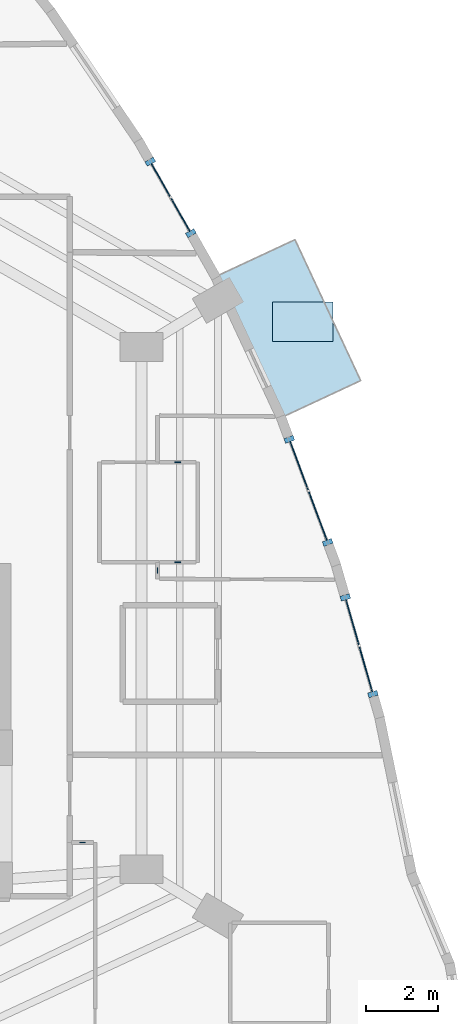
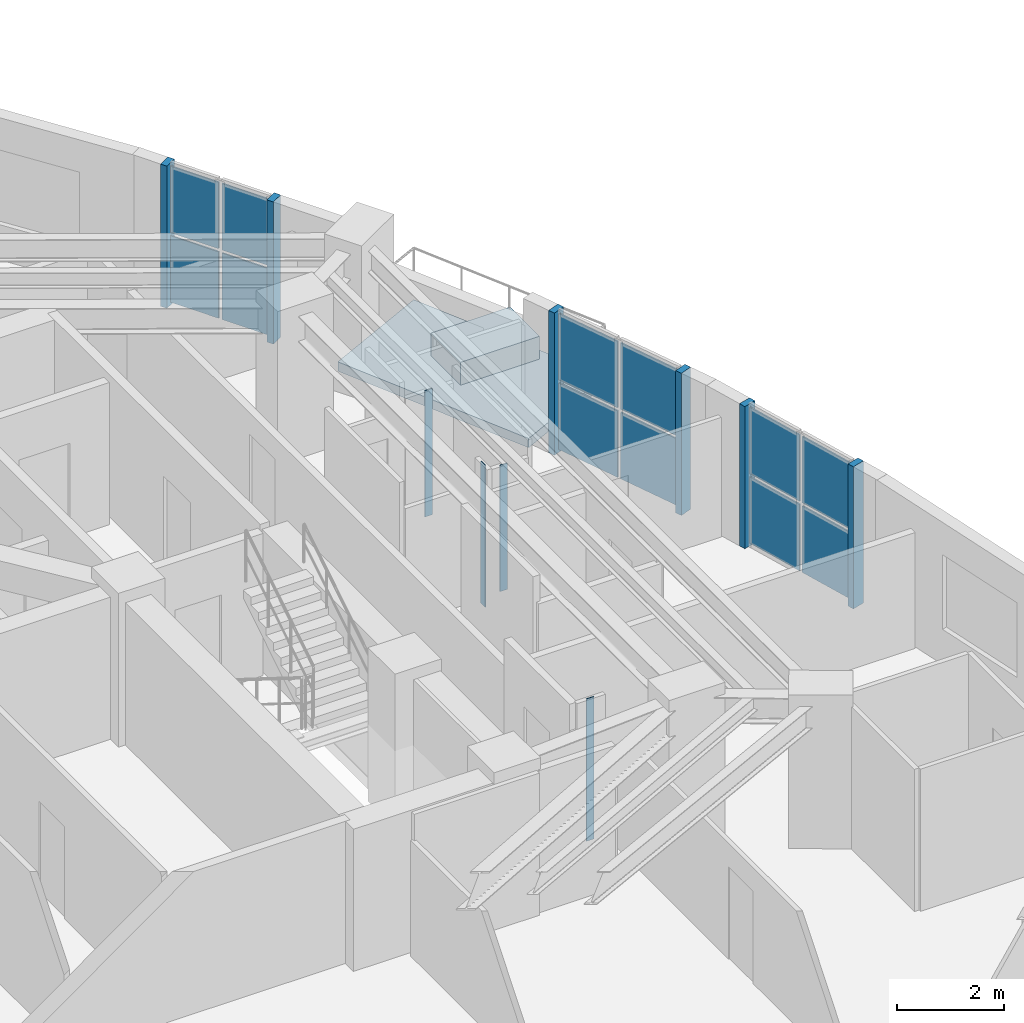
# One storey, part 6 of 14: 22 plates, 2 slabs, 3 elements without a shape of their own.
"""IFC4 building model written with IfcOpenShell, lengths in metres."""

from ifc_helpers import new_model, si_unit, direction, frame, origin, origin_2d, place, context, subcontext, project, spatial, polyline, rectangle, outline, extrude, material, layer, layer_set, type_object, element, aggregate, save


model = new_model("IFC4")

# Units and contexts
model_context = context("Model", 3, precision=1e-05, world=origin(), true_north=direction((0.0, 1.0)))
body_context = subcontext(model_context, "Body", "Model", "MODEL_VIEW")
ifc_project = project(units=[si_unit("LENGTHUNIT", "METRE"), si_unit("AREAUNIT", "SQUARE_METRE"), si_unit("VOLUMEUNIT", "CUBIC_METRE"), si_unit("PLANEANGLEUNIT", "RADIAN"), si_unit("MASSUNIT", "GRAM", prefix="KILO")], contexts=[model_context])

# Site, building, storey
site_placement = place(None, origin())
site = spatial("IfcSite", under=ifc_project, at=site_placement, CompositionType="ELEMENT")
building_placement = place(site_placement, origin())
building = spatial("IfcBuilding", under=site, at=building_placement, Name="Miruveldt Soraemaru", CompositionType="ELEMENT")
storey_placement = place(building_placement, frame((0.0, 0.0, 142.39990234375)))
storey = spatial("IfcBuildingStorey", under=building, at=storey_placement, Name="L39", CompositionType="ELEMENT", Elevation=142.39990234375)

# Curtain wall, plates
ifc_material_1 = material(Name="Anodised aluminium EN AW-6063 T6", Category="aluminium")
ifc_layer_1 = layer(ifc_material_1, 0.199951171875, Name="Anodised aluminium EN AW-6063 T6", Category="aluminium")
ifc_layer_set_1 = layer_set([ifc_layer_1], Name="Anodised aluminium EN AW-6063 T6")
curtain_wall_type = type_object("IfcCurtainWallType", Name="CW-SYS-3", PredefinedType="USERDEFINED", material=ifc_layer_set_1)
curtain_wall_1_placement = place(storey_placement, origin())
curtain_wall_1 = element("IfcCurtainWall", 1, at=curtain_wall_1_placement, inside=storey, type_object=curtain_wall_type, Name="L39 Curtain Wall Bay 36", ObjectType="UNITISED GLAZING", PredefinedType="USERDEFINED")
ifc_material_2 = material(Name="Triple low-e insulated glazing", Category="glass")
ifc_layer_2 = layer(ifc_material_2, 0.030029296875, Name="Triple low-e insulated glazing", Category="glass")
ifc_layer_set_2 = layer_set([ifc_layer_2], Name="Triple low-e insulated glazing")
plate_type_1 = type_object("IfcPlateType", Name="CWP-3", PredefinedType="CURTAIN_PANEL", material=ifc_layer_set_2)
plate_1_placement = place(storey_placement, frame((62.87353515625, 41.389892578125, 0.0703125), z_axis=(0.0, 0.0, 1.0), x_axis=(-0.275002820815, 0.961443419315, 0.0)))
plate_1 = element("IfcPlate", 2, at=plate_1_placement, type_object=plate_type_1, Name="CW-3 panel 1.1", PredefinedType="CURTAIN_PANEL", context=body_context, shape_type="SweptSolid", body=[
    extrude(rectangle(XDim=1.301513671875, YDim=0.030029296875, at=origin_2d()), origin(), (0.0, 0.0, 1.0), 1.512451171875),
])
plate_2_placement = place(storey_placement, frame((62.87353515625, 41.389892578125, 1.65283203125), z_axis=(0.0, 0.0, 1.0), x_axis=(-0.275002820815, 0.961443419315, 0.0)))
plate_2 = element("IfcPlate", 3, at=plate_2_placement, type_object=plate_type_1, Name="CW-3 panel 1.2", PredefinedType="CURTAIN_PANEL", context=body_context, shape_type="SweptSolid", body=[
    extrude(rectangle(XDim=1.301513671875, YDim=0.030029296875, at=origin_2d()), origin(), (0.0, 0.0, 1.0), 1.512451171875),
])
plate_3_placement = place(storey_placement, frame((62.496337890625, 42.70849609375, 0.0703125), z_axis=(0.0, 0.0, 1.0), x_axis=(-0.275002820815, 0.961443419315, 0.0)))
plate_3 = element("IfcPlate", 4, at=plate_3_placement, type_object=plate_type_1, Name="CW-3 panel 2.1", PredefinedType="CURTAIN_PANEL", context=body_context, shape_type="SweptSolid", body=[
    extrude(rectangle(XDim=1.301513671875, YDim=0.030029296875, at=origin_2d()), origin(), (0.0, 0.0, 1.0), 1.512451171875),
])
plate_4_placement = place(storey_placement, frame((62.496337890625, 42.70849609375, 1.65283203125), z_axis=(0.0, 0.0, 1.0), x_axis=(-0.275002820815, 0.961443419315, 0.0)))
plate_4 = element("IfcPlate", 5, at=plate_4_placement, type_object=plate_type_1, Name="CW-3 panel 2.2", PredefinedType="CURTAIN_PANEL", context=body_context, shape_type="SweptSolid", body=[
    extrude(rectangle(XDim=1.301513671875, YDim=0.030029296875, at=origin_2d()), origin(), (0.0, 0.0, 1.0), 1.512451171875),
])
aggregate(curtain_wall_1, [plate_1, plate_2, plate_3, plate_4])

curtain_wall_2_placement = place(storey_placement, origin())
curtain_wall_2 = element("IfcCurtainWall", 6, at=curtain_wall_2_placement, inside=storey, type_object=curtain_wall_type, Name="L39 Curtain Wall Bay 37", ObjectType="UNITISED GLAZING", PredefinedType="USERDEFINED")
plate_5_placement = place(storey_placement, frame((61.531982421875, 45.673583984375, 0.0703125), z_axis=(0.0, 0.0, 1.0), x_axis=(-0.349024948673, 0.93711343241, 0.0)))
plate_5 = element("IfcPlate", 7, at=plate_5_placement, type_object=plate_type_1, Name="CW-3 panel 1.1", PredefinedType="CURTAIN_PANEL", context=body_context, shape_type="SweptSolid", body=[
    extrude(rectangle(XDim=1.430908203125, YDim=0.030029296875, at=origin_2d()), origin(), (0.0, 0.0, 1.0), 1.512451171875),
])
plate_6_placement = place(storey_placement, frame((61.531982421875, 45.673583984375, 1.65283203125), z_axis=(0.0, 0.0, 1.0), x_axis=(-0.349024948673, 0.93711343241, 0.0)))
plate_6 = element("IfcPlate", 8, at=plate_6_placement, type_object=plate_type_1, Name="CW-3 panel 1.2", PredefinedType="CURTAIN_PANEL", context=body_context, shape_type="SweptSolid", body=[
    extrude(rectangle(XDim=1.430908203125, YDim=0.030029296875, at=origin_2d()), origin(), (0.0, 0.0, 1.0), 1.512451171875),
])
plate_7_placement = place(storey_placement, frame((61.008056640625, 47.080078125, 0.0703125), z_axis=(0.0, 0.0, 1.0), x_axis=(-0.349024948673, 0.93711343241, 0.0)))
plate_7 = element("IfcPlate", 9, at=plate_7_placement, type_object=plate_type_1, Name="CW-3 panel 2.1", PredefinedType="CURTAIN_PANEL", context=body_context, shape_type="SweptSolid", body=[
    extrude(rectangle(XDim=1.430908203125, YDim=0.030029296875, at=origin_2d()), origin(), (0.0, 0.0, 1.0), 1.512451171875),
])
plate_8_placement = place(storey_placement, frame((61.008056640625, 47.080078125, 1.65283203125), z_axis=(0.0, 0.0, 1.0), x_axis=(-0.349024948673, 0.93711343241, 0.0)))
plate_8 = element("IfcPlate", 10, at=plate_8_placement, type_object=plate_type_1, Name="CW-3 panel 2.2", PredefinedType="CURTAIN_PANEL", context=body_context, shape_type="SweptSolid", body=[
    extrude(rectangle(XDim=1.430908203125, YDim=0.030029296875, at=origin_2d()), origin(), (0.0, 0.0, 1.0), 1.512451171875),
])
aggregate(curtain_wall_2, [plate_5, plate_6, plate_7, plate_8])

curtain_wall_3_placement = place(storey_placement, origin())
curtain_wall_3 = element("IfcCurtainWall", 11, at=curtain_wall_3_placement, inside=storey, type_object=curtain_wall_type, Name="L39 Curtain Wall Bay 39", ObjectType="UNITISED GLAZING", PredefinedType="USERDEFINED")
plate_9_placement = place(storey_placement, frame((57.691162109375, 54.09375, 0.0703125), z_axis=(0.0, 0.0, 1.0), x_axis=(-0.493338631366, 0.869837338128, 0.0)))
plate_9 = element("IfcPlate", 12, at=plate_9_placement, type_object=plate_type_1, Name="CW-3 panel 1.1", PredefinedType="CURTAIN_PANEL", context=body_context, shape_type="SweptSolid", body=[
    extrude(rectangle(XDim=1.0439453125, YDim=0.030029296875, at=origin_2d()), origin(), (0.0, 0.0, 1.0), 1.512451171875),
])
plate_10_placement = place(storey_placement, frame((57.691162109375, 54.09375, 1.65283203125), z_axis=(0.0, 0.0, 1.0), x_axis=(-0.493338631366, 0.869837338128, 0.0)))
plate_10 = element("IfcPlate", 13, at=plate_10_placement, type_object=plate_type_1, Name="CW-3 panel 1.2", PredefinedType="CURTAIN_PANEL", context=body_context, shape_type="SweptSolid", body=[
    extrude(rectangle(XDim=1.0439453125, YDim=0.030029296875, at=origin_2d()), origin(), (0.0, 0.0, 1.0), 1.512451171875),
])
plate_11_placement = place(storey_placement, frame((57.141357421875, 55.062744140625, 0.0703125), z_axis=(0.0, 0.0, 1.0), x_axis=(-0.493338631366, 0.869837338128, 0.0)))
plate_11 = element("IfcPlate", 14, at=plate_11_placement, type_object=plate_type_1, Name="CW-3 panel 2.1", PredefinedType="CURTAIN_PANEL", context=body_context, shape_type="SweptSolid", body=[
    extrude(rectangle(XDim=1.0439453125, YDim=0.030029296875, at=origin_2d()), origin(), (0.0, 0.0, 1.0), 1.512451171875),
])
plate_12_placement = place(storey_placement, frame((57.141357421875, 55.062744140625, 1.65283203125), z_axis=(0.0, 0.0, 1.0), x_axis=(-0.493338631366, 0.869837338128, 0.0)))
plate_12 = element("IfcPlate", 15, at=plate_12_placement, type_object=plate_type_1, Name="CW-3 panel 2.2", PredefinedType="CURTAIN_PANEL", context=body_context, shape_type="SweptSolid", body=[
    extrude(rectangle(XDim=1.0439453125, YDim=0.030029296875, at=origin_2d()), origin(), (0.0, 0.0, 1.0), 1.512451171875),
])
aggregate(curtain_wall_3, [plate_9, plate_10, plate_11, plate_12])

# Plates
ifc_layer_3 = layer(ifc_material_1, 0.030029296875, Name="Anodised aluminium EN AW-6063 T6", Category="aluminium")
ifc_layer_set_3 = layer_set([ifc_layer_3], Name="Anodised aluminium EN AW-6063 T6")
plate_type_2 = type_object("IfcPlateType", Name="PLT-JAMB-30", PredefinedType="SHEET", material=ifc_layer_set_3)
for number, where, z_axis, x_axis, name in (
    (16, (63.07177734375, 40.697021484375, 0.0), (0.0, 0.0, 1.0), (-0.274999762342, 0.961444294128, 0.0), "L39 Curtain Wall Jamb Closure Trim 36JL"),
    (17, (62.298095703125, 43.401611328125, 0.0), (0.0, 0.0, 1.0), (-0.274999762342, 0.961444294128, 0.0), "L39 Curtain Wall Jamb Closure Trim 36JR"),
    (18, (61.80615234375, 44.9375, 0.0), (0.0, 0.0, 1.0), (-0.349013692334, 0.937117624721, 0.0), "L39 Curtain Wall Jamb Closure Trim 37JL"),
    (19, (60.73388671875, 47.816162109375, 0.0), (0.0, 0.0, 1.0), (-0.349013692334, 0.937117624721, 0.0), "L39 Curtain Wall Jamb Closure Trim 37JR"),
    (20, (57.983154296875, 53.578857421875, 0.0), (0.0, 0.0, 1.0), (-0.493349905778, 0.869830943614, 0.0), "L39 Curtain Wall Jamb Closure Trim 39JL"),
    (21, (56.849365234375, 55.57763671875, 0.0), (0.0, 0.0, 1.0), (-0.493349905778, 0.869830943614, 0.0), "L39 Curtain Wall Jamb Closure Trim 39JR"),
):
    element("IfcPlate", number, at=place(storey_placement, frame(where, z_axis=z_axis, x_axis=x_axis)), inside=storey, type_object=plate_type_2, Name=name, PredefinedType="SHEET", context=body_context, shape_type="SweptSolid", body=[
        extrude(rectangle(XDim=0.139892578125, YDim=0.27001953125, at=origin_2d()), origin(), (0.0, 0.0, 1.0), 3.235107421875),
    ])
ifc_layer_4 = layer(ifc_material_1, 0.02001953125, Name="Anodised aluminium EN AW-6063 T6", Category="aluminium")
ifc_layer_set_4 = layer_set([ifc_layer_4], Name="Anodised aluminium EN AW-6063 T6")
plate_type_3 = type_object("IfcPlateType", Name="PLT-PART-TRIM", PredefinedType="SHEET", material=ifc_layer_set_4)
for number, where, z_axis, x_axis, name in (
    (22, (57.614990234375, 44.381103515625, 0.0), (0.0, 0.0, 1.0), (1.0, 0.0, 0.0), "L39 Partition Step Corner Trim Plate 077"),
    (23, (57.614990234375, 47.180908203125, 0.0), (0.0, 0.0, 1.0), (-1.0, 0.0, 0.0), "L39 Partition Step Corner Trim Plate 079"),
):
    element("IfcPlate", number, at=place(storey_placement, frame(where, z_axis=z_axis, x_axis=x_axis)), inside=storey, type_object=plate_type_3, Name=name, PredefinedType="SHEET", context=body_context, shape_type="SweptSolid", body=[
        extrude(rectangle(XDim=0.159912109375, YDim=0.02001953125, at=origin_2d()), origin(), (0.0, 0.0, 1.0), 2.873046875),
    ])
for number, where, z_axis, x_axis, name in (
    (24, (54.95654296875, 36.551025390625, 0.0), (0.0, 0.0, 1.0), (1.0, 0.0, 0.0), "L39 Partition Step Corner Trim Plate 063"),
    (25, (57.050048828125, 44.1494140625, 0.0), (0.0, 0.0, 1.0), (0.0, 1.0, 0.0), "L39 Partition Step Corner Trim Plate 074"),
):
    element("IfcPlate", number, at=place(storey_placement, frame(where, z_axis=z_axis, x_axis=x_axis)), inside=storey, type_object=plate_type_3, Name=name, PredefinedType="SHEET", context=body_context, shape_type="SweptSolid", body=[
        extrude(rectangle(XDim=0.159912109375, YDim=0.02001953125, at=origin_2d()), origin(), (0.0, 0.0, 1.0), 3.235107421875),
    ])

# Slabs
ifc_material_3 = material(Name="Precast concrete C45/55 (45 MPa)", Category="concrete")
ifc_layer_5 = layer(ifc_material_3, 0.179931640625, Name="Precast concrete C45/55 (45 MPa)", Category="concrete")
ifc_layer_set_5 = layer_set([ifc_layer_5], Name="Precast concrete C45/55 (45 MPa)")
slab_type_1 = type_object("IfcSlabType", Name="SLAB-PLTR-180", PredefinedType="USERDEFINED", material=ifc_layer_set_5)
slab_1_placement = place(storey_placement, origin())
element("IfcSlab", 26, at=slab_1_placement, inside=storey, type_object=slab_type_1, Name="L39 Sky Garden PLANTER Bed", ObjectType="PLANTER", PredefinedType="USERDEFINED", context=body_context, shape_type="SweptSolid", body=[
    extrude(outline(polyline([(60.258056640625, 50.552001953125), (61.9580078125, 50.552001953125), (61.9580078125, 51.652099609375), (60.258056640625, 51.652099609375), (60.258056640625, 50.552001953125)])), origin(), (0.0, 0.0, 1.0), 0.52001953125),
])
ifc_material_4 = material(Name="Concrete C40/50 (40 MPa)", Category="concrete")
ifc_layer_6 = layer(ifc_material_4, 0.2099609375, Name="Concrete C40/50 (40 MPa)", Category="concrete")
ifc_layer_set_6 = layer_set([ifc_layer_6], Name="Concrete C40/50 (40 MPa)")
slab_type_2 = type_object("IfcSlabType", Name="SLAB-TERR-210", PredefinedType="ROOF", material=ifc_layer_set_6)
slab_2_placement = place(storey_placement, frame((0.0, 0.0, -0.2099609375)))
element("IfcSlab", 27, at=slab_2_placement, inside=storey, type_object=slab_type_2, Name="L39 Sky Garden Terrace Deck", PredefinedType="ROOF", context=body_context, shape_type="SweptSolid", body=[
    extrude(outline(polyline([(60.489013671875, 48.417236328125), (58.654296875, 52.355224609375), (60.89306640625, 53.398193359375), (62.727783203125, 49.460205078125), (60.489013671875, 48.417236328125)])), origin(), (0.0, 0.0, 1.0), 0.2099609375),
])

save(model, "model.ifc")
